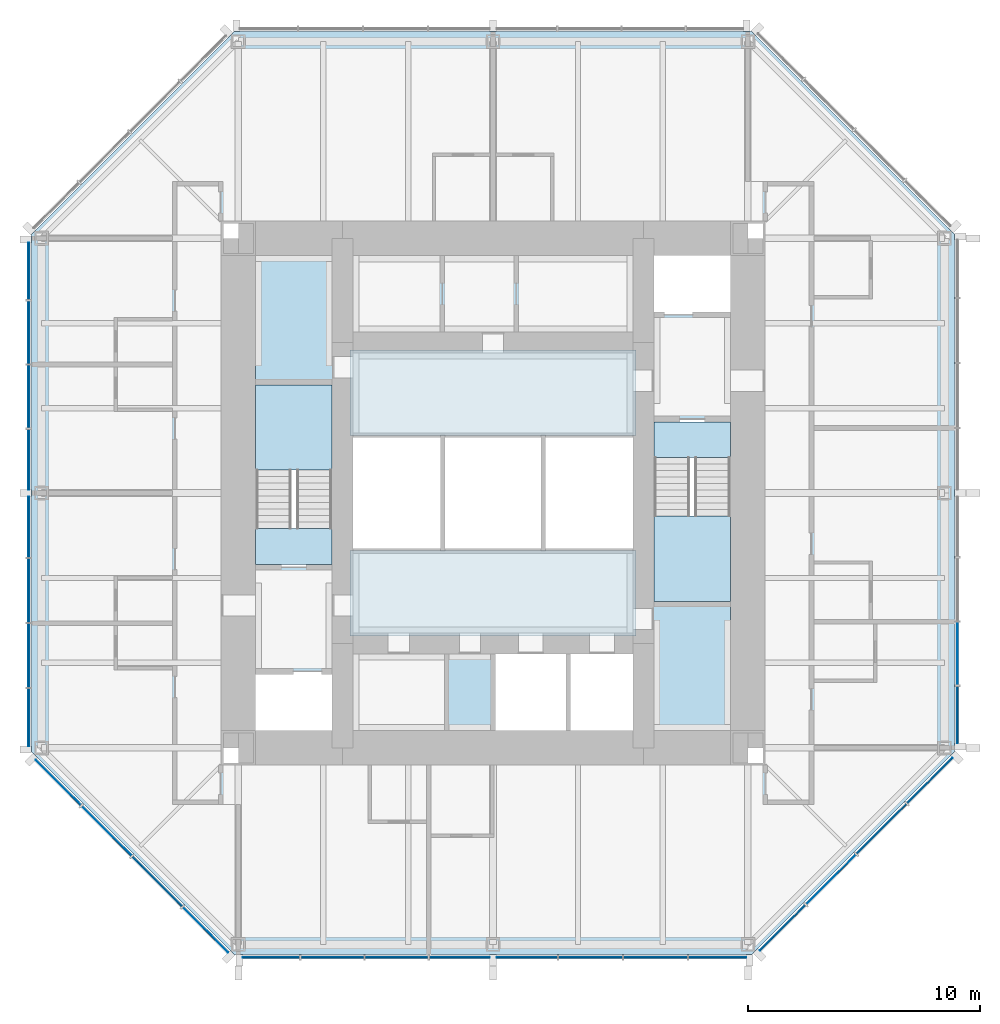
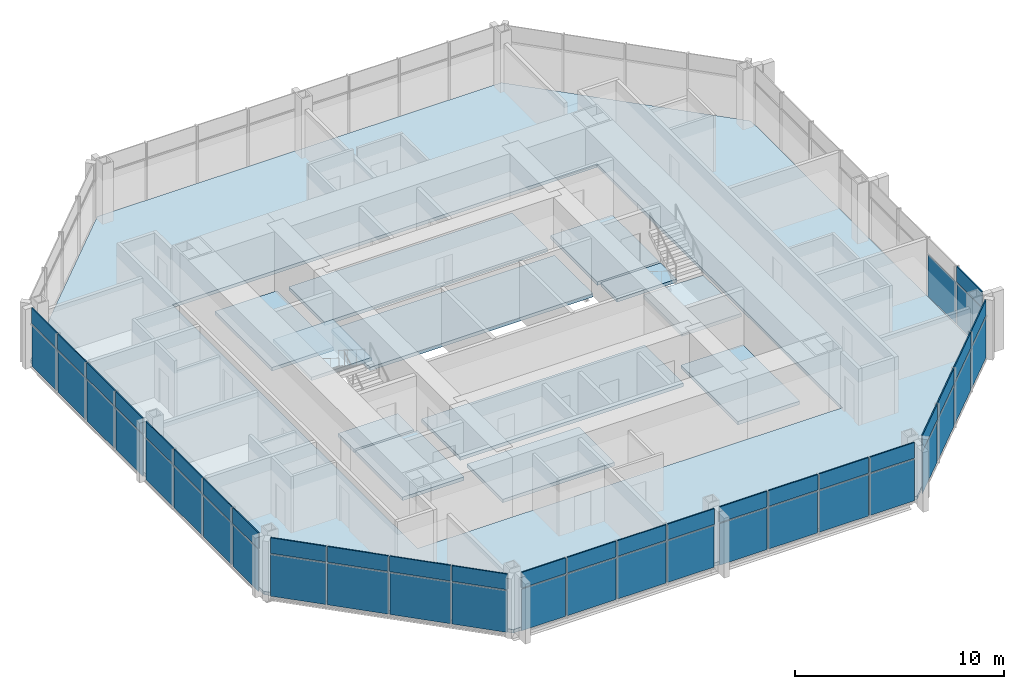
# One storey, part 6 of 11: 51 plates, 13 slabs, 7 elements without a shape of their own.
"""IFC4 building model written with IfcOpenShell, lengths in metres."""

from ifc_helpers import new_model, si_unit, direction, frame, origin, origin_2d, place, context, subcontext, project, spatial, polyline, rectangle, outline, extrude, material, layer, layer_set, type_object, element, aggregate, save


model = new_model("IFC4")

# Units and contexts
model_context = context("Model", 3, precision=1e-05, world=origin(), true_north=direction((0.0, 1.0)))
body_context = subcontext(model_context, "Body", "Model", "MODEL_VIEW")
ifc_project = project(units=[si_unit("LENGTHUNIT", "METRE"), si_unit("AREAUNIT", "SQUARE_METRE"), si_unit("VOLUMEUNIT", "CUBIC_METRE"), si_unit("PLANEANGLEUNIT", "RADIAN"), si_unit("MASSUNIT", "GRAM", prefix="KILO")], contexts=[model_context])

# Site, building, storey
site_placement = place(None, origin())
site = spatial("IfcSite", under=ifc_project, at=site_placement, CompositionType="ELEMENT")
building_placement = place(site_placement, origin())
building = spatial("IfcBuilding", under=site, at=building_placement, Name="Trevanion Tower", CompositionType="ELEMENT")
storey_placement = place(building_placement, frame((0.0, 0.0, 225.699951171875)))
storey = spatial("IfcBuildingStorey", under=building, at=storey_placement, Name="L54", CompositionType="ELEMENT", Elevation=225.699951171875)

# Curtain wall, plate
ifc_material_1 = material(Name="Aluminium and glass", Category="aluminium")
curtain_wall_type = type_object("IfcCurtainWallType", Name="CW3 curtain wall", PredefinedType="USERDEFINED", material=ifc_material_1)
curtain_wall_1_placement = place(storey_placement, origin())
curtain_wall_1 = element("IfcCurtainWall", 1, at=curtain_wall_1_placement, inside=storey, type_object=curtain_wall_type, Name="CW3 L54 0", ObjectType="UNITISED CURTAIN WALL", PredefinedType="USERDEFINED")
ifc_material_2 = material(Name="Aluminium spandrel panel", Category="aluminium")
ifc_layer_1 = layer(ifc_material_2, 0.06005859375)
ifc_layer_set_1 = layer_set([ifc_layer_1], Name="CW3 spandrel panel")
plate_type_1 = type_object("IfcPlateType", Name="CW3 spandrel panel", PredefinedType="CURTAIN_PANEL", material=ifc_layer_set_1)
plate_1_placement = place(storey_placement, frame((20.050048828125, -9.579345703125, 2.3974609375), z_axis=(0.0, 0.0, 1.0), x_axis=(0.0, 1.0, 0.0)))
plate_1 = element("IfcPlate", 2, at=plate_1_placement, type_object=plate_type_1, Name="CW3 panel 1.2", PredefinedType="CURTAIN_PANEL", context=body_context, shape_type="SweptSolid", body=[
    extrude(rectangle(XDim=2.43701171875, YDim=0.06005859375, at=origin_2d()), origin(), (0.0, 0.0, 1.0), 0.91259765625),
])

# Curtain wall, plates
curtain_wall_2_placement = place(storey_placement, origin())
curtain_wall_2 = element("IfcCurtainWall", 3, at=curtain_wall_2_placement, inside=storey, type_object=curtain_wall_type, Name="CW3 L54 4", ObjectType="UNITISED CURTAIN WALL", PredefinedType="USERDEFINED")
plate_2_placement = place(storey_placement, frame((-20.050048828125, 9.579345703125, 2.3974609375), z_axis=(0.0, 0.0, 1.0), x_axis=(0.0, -1.0, 0.0)))
plate_2 = element("IfcPlate", 4, at=plate_2_placement, type_object=plate_type_1, Name="CW3 panel 1.2", PredefinedType="CURTAIN_PANEL", context=body_context, shape_type="SweptSolid", body=[
    extrude(rectangle(XDim=2.43701171875, YDim=0.06005859375, at=origin_2d()), origin(), (0.0, 0.0, 1.0), 0.91259765625),
])
plate_3_placement = place(storey_placement, frame((-20.050048828125, 6.93603515625, 2.3974609375), z_axis=(0.0, 0.0, 1.0), x_axis=(0.0, -1.0, 0.0)))
plate_3 = element("IfcPlate", 5, at=plate_3_placement, type_object=plate_type_1, Name="CW3 panel 2.2", PredefinedType="CURTAIN_PANEL", context=body_context, shape_type="SweptSolid", body=[
    extrude(rectangle(XDim=2.699462890625, YDim=0.06005859375, at=origin_2d()), origin(), (0.0, 0.0, 1.0), 0.91259765625),
])
plate_4_placement = place(storey_placement, frame((-20.050048828125, 4.16162109375, 2.3974609375), z_axis=(0.0, 0.0, 1.0), x_axis=(0.0, -1.0, 0.0)))
plate_4 = element("IfcPlate", 6, at=plate_4_placement, type_object=plate_type_1, Name="CW3 panel 3.2", PredefinedType="CURTAIN_PANEL", context=body_context, shape_type="SweptSolid", body=[
    extrude(rectangle(XDim=2.699462890625, YDim=0.06005859375, at=origin_2d()), origin(), (0.0, 0.0, 1.0), 0.91259765625),
])
plate_5_placement = place(storey_placement, frame((-20.050048828125, 1.443603515625, 2.3974609375), z_axis=(0.0, 0.0, 1.0), x_axis=(0.0, -1.0, 0.0)))
plate_5 = element("IfcPlate", 7, at=plate_5_placement, type_object=plate_type_1, Name="CW3 panel 4.2", PredefinedType="CURTAIN_PANEL", context=body_context, shape_type="SweptSolid", body=[
    extrude(rectangle(XDim=2.5869140625, YDim=0.06005859375, at=origin_2d()), origin(), (0.0, 0.0, 1.0), 0.91259765625),
])
plate_6_placement = place(storey_placement, frame((-20.050048828125, -1.459716796875, 2.3974609375), z_axis=(0.0, 0.0, 1.0), x_axis=(0.0, -1.0, 0.0)))
plate_6 = element("IfcPlate", 8, at=plate_6_placement, type_object=plate_type_1, Name="CW3 panel 5.2", PredefinedType="CURTAIN_PANEL", context=body_context, shape_type="SweptSolid", body=[
    extrude(rectangle(XDim=2.619384765625, YDim=0.06005859375, at=origin_2d()), origin(), (0.0, 0.0, 1.0), 0.91259765625),
])
plate_7_placement = place(storey_placement, frame((-20.050048828125, -4.21044921875, 2.3974609375), z_axis=(0.0, 0.0, 1.0), x_axis=(0.0, -1.0, 0.0)))
plate_7 = element("IfcPlate", 9, at=plate_7_placement, type_object=plate_type_1, Name="CW3 panel 6.2", PredefinedType="CURTAIN_PANEL", context=body_context, shape_type="SweptSolid", body=[
    extrude(rectangle(XDim=2.73193359375, YDim=0.06005859375, at=origin_2d()), origin(), (0.0, 0.0, 1.0), 0.91259765625),
])
plate_8_placement = place(storey_placement, frame((-20.050048828125, -7.017333984375, 2.3974609375), z_axis=(0.0, 0.0, 1.0), x_axis=(0.0, -1.0, 0.0)))
plate_8 = element("IfcPlate", 10, at=plate_8_placement, type_object=plate_type_1, Name="CW3 panel 7.2", PredefinedType="CURTAIN_PANEL", context=body_context, shape_type="SweptSolid", body=[
    extrude(rectangle(XDim=2.73193359375, YDim=0.06005859375, at=origin_2d()), origin(), (0.0, 0.0, 1.0), 0.91259765625),
])
plate_9_placement = place(storey_placement, frame((-20.050048828125, -9.693115234375, 2.3974609375), z_axis=(0.0, 0.0, 1.0), x_axis=(0.0, -1.0, 0.0)))
plate_9 = element("IfcPlate", 11, at=plate_9_placement, type_object=plate_type_1, Name="CW3 panel 8.2", PredefinedType="CURTAIN_PANEL", context=body_context, shape_type="SweptSolid", body=[
    extrude(rectangle(XDim=2.469482421875, YDim=0.06005859375, at=origin_2d()), origin(), (0.0, 0.0, 1.0), 0.91259765625),
])

curtain_wall_3_placement = place(storey_placement, origin())
curtain_wall_3 = element("IfcCurtainWall", 12, at=curtain_wall_3_placement, inside=storey, type_object=curtain_wall_type, Name="CW3 L54 5", ObjectType="UNITISED CURTAIN WALL", PredefinedType="USERDEFINED")
plate_10_placement = place(storey_placement, frame((-18.77392578125, -12.50390625, 2.3974609375), z_axis=(0.0, 0.0, 1.0), x_axis=(0.707106781187, -0.707106781187, 0.0)))
plate_10 = element("IfcPlate", 13, at=plate_10_placement, type_object=plate_type_1, Name="CW3 panel 1.2", PredefinedType="CURTAIN_PANEL", context=body_context, shape_type="SweptSolid", body=[
    extrude(rectangle(XDim=2.7490234375, YDim=0.06005859375, at=origin_2d()), origin(), (0.0, 0.0, 1.0), 0.91259765625),
])
plate_11_placement = place(storey_placement, frame((-16.68408203125, -14.593505859375, 2.3974609375), z_axis=(0.0, 0.0, 1.0), x_axis=(0.707106781187, -0.707106781187, 0.0)))
plate_11 = element("IfcPlate", 14, at=plate_11_placement, type_object=plate_type_1, Name="CW3 panel 2.2", PredefinedType="CURTAIN_PANEL", context=body_context, shape_type="SweptSolid", body=[
    extrude(rectangle(XDim=3.01171875, YDim=0.06005859375, at=origin_2d()), origin(), (0.0, 0.0, 1.0), 0.91259765625),
])
plate_12_placement = place(storey_placement, frame((-14.501708984375, -16.776123046875, 2.3974609375), z_axis=(0.0, 0.0, 1.0), x_axis=(0.707106781187, -0.707106781187, 0.0)))
plate_12 = element("IfcPlate", 15, at=plate_12_placement, type_object=plate_type_1, Name="CW3 panel 3.2", PredefinedType="CURTAIN_PANEL", context=body_context, shape_type="SweptSolid", body=[
    extrude(rectangle(XDim=3.01171875, YDim=0.06005859375, at=origin_2d()), origin(), (0.0, 0.0, 1.0), 0.91259765625),
])
plate_13_placement = place(storey_placement, frame((-12.411865234375, -18.865966796875, 2.3974609375), z_axis=(0.0, 0.0, 1.0), x_axis=(0.707106781187, -0.707106781187, 0.0)))
plate_13 = element("IfcPlate", 16, at=plate_13_placement, type_object=plate_type_1, Name="CW3 panel 4.2", PredefinedType="CURTAIN_PANEL", context=body_context, shape_type="SweptSolid", body=[
    extrude(rectangle(XDim=2.7490234375, YDim=0.06005859375, at=origin_2d()), origin(), (0.0, 0.0, 1.0), 0.91259765625),
])

curtain_wall_4_placement = place(storey_placement, origin())
curtain_wall_4 = element("IfcCurtainWall", 17, at=curtain_wall_4_placement, inside=storey, type_object=curtain_wall_type, Name="CW3 L54 6", ObjectType="UNITISED CURTAIN WALL", PredefinedType="USERDEFINED")
plate_14_placement = place(storey_placement, frame((-9.579345703125, -20.050048828125, 2.3974609375), z_axis=(0.0, 0.0, 1.0), x_axis=(1.0, 0.0, 0.0)))
plate_14 = element("IfcPlate", 18, at=plate_14_placement, type_object=plate_type_1, Name="CW3 panel 1.2", PredefinedType="CURTAIN_PANEL", context=body_context, shape_type="SweptSolid", body=[
    extrude(rectangle(XDim=2.43701171875, YDim=0.06005859375, at=origin_2d()), origin(), (0.0, 0.0, 1.0), 0.91259765625),
])
plate_15_placement = place(storey_placement, frame((-6.93603515625, -20.050048828125, 2.3974609375), z_axis=(0.0, 0.0, 1.0), x_axis=(1.0, 0.0, 0.0)))
plate_15 = element("IfcPlate", 19, at=plate_15_placement, type_object=plate_type_1, Name="CW3 panel 2.2", PredefinedType="CURTAIN_PANEL", context=body_context, shape_type="SweptSolid", body=[
    extrude(rectangle(XDim=2.699462890625, YDim=0.06005859375, at=origin_2d()), origin(), (0.0, 0.0, 1.0), 0.91259765625),
])
plate_16_placement = place(storey_placement, frame((-4.16162109375, -20.050048828125, 2.3974609375), z_axis=(0.0, 0.0, 1.0), x_axis=(1.0, 0.0, 0.0)))
plate_16 = element("IfcPlate", 20, at=plate_16_placement, type_object=plate_type_1, Name="CW3 panel 3.2", PredefinedType="CURTAIN_PANEL", context=body_context, shape_type="SweptSolid", body=[
    extrude(rectangle(XDim=2.699462890625, YDim=0.06005859375, at=origin_2d()), origin(), (0.0, 0.0, 1.0), 0.91259765625),
])
plate_17_placement = place(storey_placement, frame((-1.443603515625, -20.050048828125, 2.3974609375), z_axis=(0.0, 0.0, 1.0), x_axis=(1.0, 0.0, 0.0)))
plate_17 = element("IfcPlate", 21, at=plate_17_placement, type_object=plate_type_1, Name="CW3 panel 4.2", PredefinedType="CURTAIN_PANEL", context=body_context, shape_type="SweptSolid", body=[
    extrude(rectangle(XDim=2.5869140625, YDim=0.06005859375, at=origin_2d()), origin(), (0.0, 0.0, 1.0), 0.91259765625),
])
plate_18_placement = place(storey_placement, frame((1.459716796875, -20.050048828125, 2.3974609375), z_axis=(0.0, 0.0, 1.0), x_axis=(1.0, 0.0, 0.0)))
plate_18 = element("IfcPlate", 22, at=plate_18_placement, type_object=plate_type_1, Name="CW3 panel 5.2", PredefinedType="CURTAIN_PANEL", context=body_context, shape_type="SweptSolid", body=[
    extrude(rectangle(XDim=2.619384765625, YDim=0.06005859375, at=origin_2d()), origin(), (0.0, 0.0, 1.0), 0.91259765625),
])
plate_19_placement = place(storey_placement, frame((4.21044921875, -20.050048828125, 2.3974609375), z_axis=(0.0, 0.0, 1.0), x_axis=(1.0, 0.0, 0.0)))
plate_19 = element("IfcPlate", 23, at=plate_19_placement, type_object=plate_type_1, Name="CW3 panel 6.2", PredefinedType="CURTAIN_PANEL", context=body_context, shape_type="SweptSolid", body=[
    extrude(rectangle(XDim=2.73193359375, YDim=0.06005859375, at=origin_2d()), origin(), (0.0, 0.0, 1.0), 0.91259765625),
])
plate_20_placement = place(storey_placement, frame((7.017333984375, -20.050048828125, 2.3974609375), z_axis=(0.0, 0.0, 1.0), x_axis=(1.0, 0.0, 0.0)))
plate_20 = element("IfcPlate", 24, at=plate_20_placement, type_object=plate_type_1, Name="CW3 panel 7.2", PredefinedType="CURTAIN_PANEL", context=body_context, shape_type="SweptSolid", body=[
    extrude(rectangle(XDim=2.73193359375, YDim=0.06005859375, at=origin_2d()), origin(), (0.0, 0.0, 1.0), 0.91259765625),
])
plate_21_placement = place(storey_placement, frame((9.693115234375, -20.050048828125, 2.3974609375), z_axis=(0.0, 0.0, 1.0), x_axis=(1.0, 0.0, 0.0)))
plate_21 = element("IfcPlate", 25, at=plate_21_placement, type_object=plate_type_1, Name="CW3 panel 8.2", PredefinedType="CURTAIN_PANEL", context=body_context, shape_type="SweptSolid", body=[
    extrude(rectangle(XDim=2.469482421875, YDim=0.06005859375, at=origin_2d()), origin(), (0.0, 0.0, 1.0), 0.91259765625),
])

curtain_wall_5_placement = place(storey_placement, origin())
curtain_wall_5 = element("IfcCurtainWall", 26, at=curtain_wall_5_placement, inside=storey, type_object=curtain_wall_type, Name="CW3 L54 7", ObjectType="UNITISED CURTAIN WALL", PredefinedType="USERDEFINED")
plate_22_placement = place(storey_placement, frame((12.50390625, -18.77392578125, 2.3974609375), z_axis=(0.0, 0.0, 1.0), x_axis=(0.707106781187, 0.707106781187, 0.0)))
plate_22 = element("IfcPlate", 27, at=plate_22_placement, type_object=plate_type_1, Name="CW3 panel 1.2", PredefinedType="CURTAIN_PANEL", context=body_context, shape_type="SweptSolid", body=[
    extrude(rectangle(XDim=2.7490234375, YDim=0.06005859375, at=origin_2d()), origin(), (0.0, 0.0, 1.0), 0.91259765625),
])
plate_23_placement = place(storey_placement, frame((14.593505859375, -16.68408203125, 2.3974609375), z_axis=(0.0, 0.0, 1.0), x_axis=(0.707106781187, 0.707106781187, 0.0)))
plate_23 = element("IfcPlate", 28, at=plate_23_placement, type_object=plate_type_1, Name="CW3 panel 2.2", PredefinedType="CURTAIN_PANEL", context=body_context, shape_type="SweptSolid", body=[
    extrude(rectangle(XDim=3.01171875, YDim=0.06005859375, at=origin_2d()), origin(), (0.0, 0.0, 1.0), 0.91259765625),
])
plate_24_placement = place(storey_placement, frame((16.776123046875, -14.501708984375, 2.3974609375), z_axis=(0.0, 0.0, 1.0), x_axis=(0.707106781187, 0.707106781187, 0.0)))
plate_24 = element("IfcPlate", 29, at=plate_24_placement, type_object=plate_type_1, Name="CW3 panel 3.2", PredefinedType="CURTAIN_PANEL", context=body_context, shape_type="SweptSolid", body=[
    extrude(rectangle(XDim=3.01171875, YDim=0.06005859375, at=origin_2d()), origin(), (0.0, 0.0, 1.0), 0.91259765625),
])
plate_25_placement = place(storey_placement, frame((18.865966796875, -12.411865234375, 2.3974609375), z_axis=(0.0, 0.0, 1.0), x_axis=(0.707106781187, 0.707106781187, 0.0)))
plate_25 = element("IfcPlate", 30, at=plate_25_placement, type_object=plate_type_1, Name="CW3 panel 4.2", PredefinedType="CURTAIN_PANEL", context=body_context, shape_type="SweptSolid", body=[
    extrude(rectangle(XDim=2.7490234375, YDim=0.06005859375, at=origin_2d()), origin(), (0.0, 0.0, 1.0), 0.91259765625),
])

# Plate
ifc_material_3 = material(Name="Insulating glass unit", Category="glass")
ifc_layer_2 = layer(ifc_material_3, 0.028076171875)
ifc_layer_set_2 = layer_set([ifc_layer_2], Name="CW3 vision panel")
plate_type_2 = type_object("IfcPlateType", Name="CW3 vision panel", PredefinedType="CURTAIN_PANEL", material=ifc_layer_set_2)
plate_26_placement = place(storey_placement, frame((20.050048828125, -9.579345703125, -0.114990234375), z_axis=(0.0, 0.0, 1.0), x_axis=(0.0, 1.0, 0.0)))
plate_26 = element("IfcPlate", 31, at=plate_26_placement, type_object=plate_type_2, Name="CW3 panel 1.1", PredefinedType="CURTAIN_PANEL", context=body_context, shape_type="SweptSolid", body=[
    extrude(rectangle(XDim=2.43701171875, YDim=0.028076171875, at=origin_2d()), origin(), (0.0, 0.0, 1.0), 2.4375),
])

plate_27_placement = place(storey_placement, frame((20.050048828125, -6.93603515625, -0.114990234375), z_axis=(0.0, 0.0, 1.0), x_axis=(0.0, 1.0, 0.0)))
plate_27 = element("IfcPlate", 32, at=plate_27_placement, type_object=plate_type_2, Name="CW3 panel 2.1", PredefinedType="CURTAIN_PANEL", context=body_context, shape_type="SweptSolid", body=[
    extrude(rectangle(XDim=2.699462890625, YDim=0.028076171875, at=origin_2d()), origin(), (0.0, 0.0, 1.0), 2.4375),
])

aggregate(curtain_wall_1, [plate_26, plate_1, plate_27])

plate_28_placement = place(storey_placement, frame((-20.050048828125, 9.579345703125, -0.114990234375), z_axis=(0.0, 0.0, 1.0), x_axis=(0.0, -1.0, 0.0)))
plate_28 = element("IfcPlate", 33, at=plate_28_placement, type_object=plate_type_2, Name="CW3 panel 1.1", PredefinedType="CURTAIN_PANEL", context=body_context, shape_type="SweptSolid", body=[
    extrude(rectangle(XDim=2.43701171875, YDim=0.028076171875, at=origin_2d()), origin(), (0.0, 0.0, 1.0), 2.4375),
])

plate_29_placement = place(storey_placement, frame((-20.050048828125, 6.93603515625, -0.114990234375), z_axis=(0.0, 0.0, 1.0), x_axis=(0.0, -1.0, 0.0)))
plate_29 = element("IfcPlate", 34, at=plate_29_placement, type_object=plate_type_2, Name="CW3 panel 2.1", PredefinedType="CURTAIN_PANEL", context=body_context, shape_type="SweptSolid", body=[
    extrude(rectangle(XDim=2.699462890625, YDim=0.028076171875, at=origin_2d()), origin(), (0.0, 0.0, 1.0), 2.4375),
])

plate_30_placement = place(storey_placement, frame((-20.050048828125, 4.16162109375, -0.114990234375), z_axis=(0.0, 0.0, 1.0), x_axis=(0.0, -1.0, 0.0)))
plate_30 = element("IfcPlate", 35, at=plate_30_placement, type_object=plate_type_2, Name="CW3 panel 3.1", PredefinedType="CURTAIN_PANEL", context=body_context, shape_type="SweptSolid", body=[
    extrude(rectangle(XDim=2.699462890625, YDim=0.028076171875, at=origin_2d()), origin(), (0.0, 0.0, 1.0), 2.4375),
])

plate_31_placement = place(storey_placement, frame((-20.050048828125, 1.443603515625, -0.114990234375), z_axis=(0.0, 0.0, 1.0), x_axis=(0.0, -1.0, 0.0)))
plate_31 = element("IfcPlate", 36, at=plate_31_placement, type_object=plate_type_2, Name="CW3 panel 4.1", PredefinedType="CURTAIN_PANEL", context=body_context, shape_type="SweptSolid", body=[
    extrude(rectangle(XDim=2.5869140625, YDim=0.028076171875, at=origin_2d()), origin(), (0.0, 0.0, 1.0), 2.4375),
])

plate_32_placement = place(storey_placement, frame((-20.050048828125, -1.459716796875, -0.114990234375), z_axis=(0.0, 0.0, 1.0), x_axis=(0.0, -1.0, 0.0)))
plate_32 = element("IfcPlate", 37, at=plate_32_placement, type_object=plate_type_2, Name="CW3 panel 5.1", PredefinedType="CURTAIN_PANEL", context=body_context, shape_type="SweptSolid", body=[
    extrude(rectangle(XDim=2.619384765625, YDim=0.028076171875, at=origin_2d()), origin(), (0.0, 0.0, 1.0), 2.4375),
])

plate_33_placement = place(storey_placement, frame((-20.050048828125, -4.21044921875, -0.114990234375), z_axis=(0.0, 0.0, 1.0), x_axis=(0.0, -1.0, 0.0)))
plate_33 = element("IfcPlate", 38, at=plate_33_placement, type_object=plate_type_2, Name="CW3 panel 6.1", PredefinedType="CURTAIN_PANEL", context=body_context, shape_type="SweptSolid", body=[
    extrude(rectangle(XDim=2.73193359375, YDim=0.028076171875, at=origin_2d()), origin(), (0.0, 0.0, 1.0), 2.4375),
])

plate_34_placement = place(storey_placement, frame((-20.050048828125, -7.017333984375, -0.114990234375), z_axis=(0.0, 0.0, 1.0), x_axis=(0.0, -1.0, 0.0)))
plate_34 = element("IfcPlate", 39, at=plate_34_placement, type_object=plate_type_2, Name="CW3 panel 7.1", PredefinedType="CURTAIN_PANEL", context=body_context, shape_type="SweptSolid", body=[
    extrude(rectangle(XDim=2.73193359375, YDim=0.028076171875, at=origin_2d()), origin(), (0.0, 0.0, 1.0), 2.4375),
])

plate_35_placement = place(storey_placement, frame((-20.050048828125, -9.693115234375, -0.114990234375), z_axis=(0.0, 0.0, 1.0), x_axis=(0.0, -1.0, 0.0)))
plate_35 = element("IfcPlate", 40, at=plate_35_placement, type_object=plate_type_2, Name="CW3 panel 8.1", PredefinedType="CURTAIN_PANEL", context=body_context, shape_type="SweptSolid", body=[
    extrude(rectangle(XDim=2.469482421875, YDim=0.028076171875, at=origin_2d()), origin(), (0.0, 0.0, 1.0), 2.4375),
])

aggregate(curtain_wall_2, [plate_28, plate_2, plate_29, plate_3, plate_30, plate_4, plate_31, plate_5, plate_32, plate_6, plate_33, plate_7, plate_34, plate_8, plate_35, plate_9])

plate_36_placement = place(storey_placement, frame((-18.77392578125, -12.50390625, -0.114990234375), z_axis=(0.0, 0.0, 1.0), x_axis=(0.707106781187, -0.707106781187, 0.0)))
plate_36 = element("IfcPlate", 41, at=plate_36_placement, type_object=plate_type_2, Name="CW3 panel 1.1", PredefinedType="CURTAIN_PANEL", context=body_context, shape_type="SweptSolid", body=[
    extrude(rectangle(XDim=2.7490234375, YDim=0.028076171875, at=origin_2d()), origin(), (0.0, 0.0, 1.0), 2.4375),
])

plate_37_placement = place(storey_placement, frame((-16.68408203125, -14.593505859375, -0.114990234375), z_axis=(0.0, 0.0, 1.0), x_axis=(0.707106781187, -0.707106781187, 0.0)))
plate_37 = element("IfcPlate", 42, at=plate_37_placement, type_object=plate_type_2, Name="CW3 panel 2.1", PredefinedType="CURTAIN_PANEL", context=body_context, shape_type="SweptSolid", body=[
    extrude(rectangle(XDim=3.01171875, YDim=0.028076171875, at=origin_2d()), origin(), (0.0, 0.0, 1.0), 2.4375),
])

plate_38_placement = place(storey_placement, frame((-14.501708984375, -16.776123046875, -0.114990234375), z_axis=(0.0, 0.0, 1.0), x_axis=(0.707106781187, -0.707106781187, 0.0)))
plate_38 = element("IfcPlate", 43, at=plate_38_placement, type_object=plate_type_2, Name="CW3 panel 3.1", PredefinedType="CURTAIN_PANEL", context=body_context, shape_type="SweptSolid", body=[
    extrude(rectangle(XDim=3.01171875, YDim=0.028076171875, at=origin_2d()), origin(), (0.0, 0.0, 1.0), 2.4375),
])

plate_39_placement = place(storey_placement, frame((-12.411865234375, -18.865966796875, -0.114990234375), z_axis=(0.0, 0.0, 1.0), x_axis=(0.707106781187, -0.707106781187, 0.0)))
plate_39 = element("IfcPlate", 44, at=plate_39_placement, type_object=plate_type_2, Name="CW3 panel 4.1", PredefinedType="CURTAIN_PANEL", context=body_context, shape_type="SweptSolid", body=[
    extrude(rectangle(XDim=2.7490234375, YDim=0.028076171875, at=origin_2d()), origin(), (0.0, 0.0, 1.0), 2.4375),
])

aggregate(curtain_wall_3, [plate_36, plate_10, plate_37, plate_11, plate_38, plate_12, plate_39, plate_13])

plate_40_placement = place(storey_placement, frame((-9.579345703125, -20.050048828125, -0.114990234375), z_axis=(0.0, 0.0, 1.0), x_axis=(1.0, 0.0, 0.0)))
plate_40 = element("IfcPlate", 45, at=plate_40_placement, type_object=plate_type_2, Name="CW3 panel 1.1", PredefinedType="CURTAIN_PANEL", context=body_context, shape_type="SweptSolid", body=[
    extrude(rectangle(XDim=2.43701171875, YDim=0.028076171875, at=origin_2d()), origin(), (0.0, 0.0, 1.0), 2.4375),
])

plate_41_placement = place(storey_placement, frame((-6.93603515625, -20.050048828125, -0.114990234375), z_axis=(0.0, 0.0, 1.0), x_axis=(1.0, 0.0, 0.0)))
plate_41 = element("IfcPlate", 46, at=plate_41_placement, type_object=plate_type_2, Name="CW3 panel 2.1", PredefinedType="CURTAIN_PANEL", context=body_context, shape_type="SweptSolid", body=[
    extrude(rectangle(XDim=2.699462890625, YDim=0.028076171875, at=origin_2d()), origin(), (0.0, 0.0, 1.0), 2.4375),
])

plate_42_placement = place(storey_placement, frame((-4.16162109375, -20.050048828125, -0.114990234375), z_axis=(0.0, 0.0, 1.0), x_axis=(1.0, 0.0, 0.0)))
plate_42 = element("IfcPlate", 47, at=plate_42_placement, type_object=plate_type_2, Name="CW3 panel 3.1", PredefinedType="CURTAIN_PANEL", context=body_context, shape_type="SweptSolid", body=[
    extrude(rectangle(XDim=2.699462890625, YDim=0.028076171875, at=origin_2d()), origin(), (0.0, 0.0, 1.0), 2.4375),
])

plate_43_placement = place(storey_placement, frame((-1.443603515625, -20.050048828125, -0.114990234375), z_axis=(0.0, 0.0, 1.0), x_axis=(1.0, 0.0, 0.0)))
plate_43 = element("IfcPlate", 48, at=plate_43_placement, type_object=plate_type_2, Name="CW3 panel 4.1", PredefinedType="CURTAIN_PANEL", context=body_context, shape_type="SweptSolid", body=[
    extrude(rectangle(XDim=2.5869140625, YDim=0.028076171875, at=origin_2d()), origin(), (0.0, 0.0, 1.0), 2.4375),
])

plate_44_placement = place(storey_placement, frame((1.459716796875, -20.050048828125, -0.114990234375), z_axis=(0.0, 0.0, 1.0), x_axis=(1.0, 0.0, 0.0)))
plate_44 = element("IfcPlate", 49, at=plate_44_placement, type_object=plate_type_2, Name="CW3 panel 5.1", PredefinedType="CURTAIN_PANEL", context=body_context, shape_type="SweptSolid", body=[
    extrude(rectangle(XDim=2.619384765625, YDim=0.028076171875, at=origin_2d()), origin(), (0.0, 0.0, 1.0), 2.4375),
])

plate_45_placement = place(storey_placement, frame((4.21044921875, -20.050048828125, -0.114990234375), z_axis=(0.0, 0.0, 1.0), x_axis=(1.0, 0.0, 0.0)))
plate_45 = element("IfcPlate", 50, at=plate_45_placement, type_object=plate_type_2, Name="CW3 panel 6.1", PredefinedType="CURTAIN_PANEL", context=body_context, shape_type="SweptSolid", body=[
    extrude(rectangle(XDim=2.73193359375, YDim=0.028076171875, at=origin_2d()), origin(), (0.0, 0.0, 1.0), 2.4375),
])

plate_46_placement = place(storey_placement, frame((7.017333984375, -20.050048828125, -0.114990234375), z_axis=(0.0, 0.0, 1.0), x_axis=(1.0, 0.0, 0.0)))
plate_46 = element("IfcPlate", 51, at=plate_46_placement, type_object=plate_type_2, Name="CW3 panel 7.1", PredefinedType="CURTAIN_PANEL", context=body_context, shape_type="SweptSolid", body=[
    extrude(rectangle(XDim=2.73193359375, YDim=0.028076171875, at=origin_2d()), origin(), (0.0, 0.0, 1.0), 2.4375),
])

plate_47_placement = place(storey_placement, frame((9.693115234375, -20.050048828125, -0.114990234375), z_axis=(0.0, 0.0, 1.0), x_axis=(1.0, 0.0, 0.0)))
plate_47 = element("IfcPlate", 52, at=plate_47_placement, type_object=plate_type_2, Name="CW3 panel 8.1", PredefinedType="CURTAIN_PANEL", context=body_context, shape_type="SweptSolid", body=[
    extrude(rectangle(XDim=2.469482421875, YDim=0.028076171875, at=origin_2d()), origin(), (0.0, 0.0, 1.0), 2.4375),
])

aggregate(curtain_wall_4, [plate_40, plate_14, plate_41, plate_15, plate_42, plate_16, plate_43, plate_17, plate_44, plate_18, plate_45, plate_19, plate_46, plate_20, plate_47, plate_21])

plate_48_placement = place(storey_placement, frame((12.50390625, -18.77392578125, -0.114990234375), z_axis=(0.0, 0.0, 1.0), x_axis=(0.707106781187, 0.707106781187, 0.0)))
plate_48 = element("IfcPlate", 53, at=plate_48_placement, type_object=plate_type_2, Name="CW3 panel 1.1", PredefinedType="CURTAIN_PANEL", context=body_context, shape_type="SweptSolid", body=[
    extrude(rectangle(XDim=2.7490234375, YDim=0.028076171875, at=origin_2d()), origin(), (0.0, 0.0, 1.0), 2.4375),
])

plate_49_placement = place(storey_placement, frame((14.593505859375, -16.68408203125, -0.114990234375), z_axis=(0.0, 0.0, 1.0), x_axis=(0.707106781187, 0.707106781187, 0.0)))
plate_49 = element("IfcPlate", 54, at=plate_49_placement, type_object=plate_type_2, Name="CW3 panel 2.1", PredefinedType="CURTAIN_PANEL", context=body_context, shape_type="SweptSolid", body=[
    extrude(rectangle(XDim=3.01171875, YDim=0.028076171875, at=origin_2d()), origin(), (0.0, 0.0, 1.0), 2.4375),
])

plate_50_placement = place(storey_placement, frame((16.776123046875, -14.501708984375, -0.114990234375), z_axis=(0.0, 0.0, 1.0), x_axis=(0.707106781187, 0.707106781187, 0.0)))
plate_50 = element("IfcPlate", 55, at=plate_50_placement, type_object=plate_type_2, Name="CW3 panel 3.1", PredefinedType="CURTAIN_PANEL", context=body_context, shape_type="SweptSolid", body=[
    extrude(rectangle(XDim=3.01171875, YDim=0.028076171875, at=origin_2d()), origin(), (0.0, 0.0, 1.0), 2.4375),
])

plate_51_placement = place(storey_placement, frame((18.865966796875, -12.411865234375, -0.114990234375), z_axis=(0.0, 0.0, 1.0), x_axis=(0.707106781187, 0.707106781187, 0.0)))
plate_51 = element("IfcPlate", 56, at=plate_51_placement, type_object=plate_type_2, Name="CW3 panel 4.1", PredefinedType="CURTAIN_PANEL", context=body_context, shape_type="SweptSolid", body=[
    extrude(rectangle(XDim=2.7490234375, YDim=0.028076171875, at=origin_2d()), origin(), (0.0, 0.0, 1.0), 2.4375),
])

aggregate(curtain_wall_5, [plate_48, plate_22, plate_49, plate_23, plate_50, plate_24, plate_51, plate_25])

# Slabs
ifc_material_4 = material(Name="Concrete 5,000 psi on composite metal deck", Category="concrete")
ifc_layer_3 = layer(ifc_material_4, 0.18994140625)
ifc_layer_set_3 = layer_set([ifc_layer_3], Name="SL1 composite floor 190")
slab_type_1 = type_object("IfcSlabType", Name="SL1 composite floor 190", PredefinedType="FLOOR", material=ifc_layer_set_3)
slab_1_placement = place(storey_placement, frame((0.0, 0.0, -0.18994140625)))
element("IfcSlab", 57, at=slab_1_placement, inside=storey, type_object=slab_type_1, Name="SL1 L54 floor", PredefinedType="FLOOR", context=body_context, shape_type="SweptSolid", body=[
    extrude(outline(polyline([(19.919921875, -11.174072265625), (19.919921875, 11.174072265625), (11.174072265625, 19.919921875), (-11.174072265625, 19.919921875), (-19.919921875, 11.174072265625), (-19.919921875, -11.174072265625), (-11.174072265625, -19.919921875), (11.174072265625, -19.919921875), (19.919921875, -11.174072265625)]), holes=[polyline([(11.75, -11.75), (11.75, 11.75), (-11.75, 11.75), (-11.75, -11.75), (11.75, -11.75)])]), origin(), (0.0, 0.0, 1.0), 0.18994140625),
])
ifc_material_5 = material(Name="Concrete 5,000 psi", Category="concrete")
ifc_layer_4 = layer(ifc_material_5, 0.199951171875)
ifc_layer_set_4 = layer_set([ifc_layer_4], Name="SL2 core floor 200")
slab_type_2 = type_object("IfcSlabType", Name="SL2 core floor 200", PredefinedType="FLOOR", material=ifc_layer_set_4)
slab_2_placement = place(storey_placement, frame((0.0, 0.0, -0.199951171875)))
element("IfcSlab", 58, at=slab_2_placement, inside=storey, type_object=slab_type_2, Name="SL2 L54 core floor 1", PredefinedType="FLOOR", context=body_context, shape_type="SweptSolid", body=[
    extrude(outline(polyline([(0.02001953125, -10.25), (-6.169921875, -10.25), (-6.169921875, -6.830078125), (0.02001953125, -6.830078125), (0.02001953125, -10.25)])), origin(), (0.0, 0.0, 1.0), 0.199951171875),
])
slab_3_placement = place(storey_placement, frame((0.0, 0.0, -0.199951171875)))
element("IfcSlab", 59, at=slab_3_placement, inside=storey, type_object=slab_type_2, Name="SL2 L54 core floor 2", PredefinedType="FLOOR", context=body_context, shape_type="SweptSolid", body=[
    extrude(outline(polyline([(6.830078125, -4.804931640625), (10.25, -4.804931640625), (10.25, -10.25), (6.830078125, -10.25), (6.830078125, -4.804931640625)])), origin(), (0.0, 0.0, 1.0), 0.199951171875),
])
slab_4_placement = place(storey_placement, frame((0.0, 0.0, -0.199951171875)))
element("IfcSlab", 60, at=slab_4_placement, inside=storey, type_object=slab_type_2, Name="SL2 L54 core floor 3", PredefinedType="FLOOR", context=body_context, shape_type="SweptSolid", body=[
    extrude(outline(polyline([(-6.830078125, -3.205078125), (-6.830078125, -7.695068359375), (-10.25, -7.695068359375), (-10.25, -3.205078125), (-6.830078125, -3.205078125)])), origin(), (0.0, 0.0, 1.0), 0.199951171875),
])
slab_5_placement = place(storey_placement, frame((0.0, 0.0, -0.199951171875)))
element("IfcSlab", 61, at=slab_5_placement, inside=storey, type_object=slab_type_2, Name="SL2 L54 core floor 4", PredefinedType="FLOOR", context=body_context, shape_type="SweptSolid", body=[
    extrude(outline(polyline([(6.169921875, -6.169921875), (-6.169921875, -6.169921875), (-6.169921875, -2.47998046875), (6.169921875, -2.47998046875), (6.169921875, -6.169921875)])), origin(), (0.0, 0.0, 1.0), 0.199951171875),
])
slab_6_placement = place(storey_placement, frame((0.0, 0.0, -0.199951171875)))
element("IfcSlab", 62, at=slab_6_placement, inside=storey, type_object=slab_type_2, Name="SL2 L54 core floor 5", PredefinedType="FLOOR", context=body_context, shape_type="SweptSolid", body=[
    extrude(outline(polyline([(6.169921875, 2.47998046875), (-6.169921875, 2.47998046875), (-6.169921875, 6.169921875), (6.169921875, 6.169921875), (6.169921875, 2.47998046875)])), origin(), (0.0, 0.0, 1.0), 0.199951171875),
])
slab_7_placement = place(storey_placement, frame((0.0, 0.0, -0.199951171875)))
element("IfcSlab", 63, at=slab_7_placement, inside=storey, type_object=slab_type_2, Name="SL2 L54 core floor 6", PredefinedType="FLOOR", context=body_context, shape_type="SweptSolid", body=[
    extrude(outline(polyline([(6.830078125, 3.205078125), (6.830078125, 7.695068359375), (10.25, 7.695068359375), (10.25, 3.205078125), (6.830078125, 3.205078125)])), origin(), (0.0, 0.0, 1.0), 0.199951171875),
])
slab_8_placement = place(storey_placement, frame((0.0, 0.0, -0.199951171875)))
element("IfcSlab", 64, at=slab_8_placement, inside=storey, type_object=slab_type_2, Name="SL2 L54 core floor 7", PredefinedType="FLOOR", context=body_context, shape_type="SweptSolid", body=[
    extrude(outline(polyline([(-6.830078125, 4.804931640625), (-10.25, 4.804931640625), (-10.25, 10.25), (-6.830078125, 10.25), (-6.830078125, 4.804931640625)])), origin(), (0.0, 0.0, 1.0), 0.199951171875),
])
slab_9_placement = place(storey_placement, frame((0.0, 0.0, -0.199951171875)))
element("IfcSlab", 65, at=slab_9_placement, inside=storey, type_object=slab_type_2, Name="SL2 L54 core floor 8", PredefinedType="FLOOR", context=body_context, shape_type="SweptSolid", body=[
    extrude(outline(polyline([(6.169921875, 6.830078125), (-6.169921875, 6.830078125), (-6.169921875, 10.25), (6.169921875, 10.25), (6.169921875, 6.830078125)])), origin(), (0.0, 0.0, 1.0), 0.199951171875),
])

# Stair, slabs
ifc_material_6 = material(Name="Concrete 5,000 psi on steel stringers", Category="concrete")
stair_type = type_object("IfcStairType", Name="ST stair", PredefinedType="HALF_TURN_STAIR", material=ifc_material_6)
stair_1_placement = place(storey_placement, origin())
stair_1 = element("IfcStair", 66, at=stair_1_placement, inside=storey, type_object=stair_type, Name="ST1 L54", PredefinedType="HALF_TURN_STAIR")
ifc_material_7 = material(Name="Concrete 5,000 psi in steel pan", Category="concrete")
ifc_layer_5 = layer(ifc_material_7, 0.199951171875)
ifc_layer_set_5 = layer_set([ifc_layer_5], Name="STL stair landing 200")
slab_type_3 = type_object("IfcSlabType", Name="STL stair landing 200", PredefinedType="LANDING", material=ifc_layer_set_5)
slab_10_placement = place(storey_placement, frame((0.0, 0.0, -0.199951171875)))
slab_10 = element("IfcSlab", 67, at=slab_10_placement, type_object=slab_type_3, Name="ST1 landing 1", PredefinedType="LANDING", context=body_context, shape_type="SweptSolid", body=[
    extrude(outline(polyline([(6.949951171875, 1.52490234375), (10.25, 1.52490234375), (10.25, 3.074951171875), (6.949951171875, 3.074951171875), (6.949951171875, 1.52490234375)])), origin(), (0.0, 0.0, 1.0), 0.199951171875),
])
slab_11_placement = place(storey_placement, frame((0.0, 0.0, 1.550048828125)))
slab_11 = element("IfcSlab", 68, at=slab_11_placement, type_object=slab_type_3, Name="ST1 landing 2", PredefinedType="LANDING", context=body_context, shape_type="SweptSolid", body=[
    extrude(outline(polyline([(6.949951171875, -4.675048828125), (10.25, -4.675048828125), (10.25, -0.9951171875), (6.949951171875, -0.9951171875), (6.949951171875, -4.675048828125)])), origin(), (0.0, 0.0, 1.0), 0.199951171875),
])
aggregate(stair_1, [slab_10, slab_11])

stair_2_placement = place(storey_placement, origin())
stair_2 = element("IfcStair", 69, at=stair_2_placement, inside=storey, type_object=stair_type, Name="ST2 L54", PredefinedType="HALF_TURN_STAIR")
slab_12_placement = place(storey_placement, frame((0.0, 0.0, -0.199951171875)))
slab_12 = element("IfcSlab", 70, at=slab_12_placement, type_object=slab_type_3, Name="ST2 landing 1", PredefinedType="LANDING", context=body_context, shape_type="SweptSolid", body=[
    extrude(outline(polyline([(-6.949951171875, -1.52490234375), (-10.25, -1.52490234375), (-10.25, -3.074951171875), (-6.949951171875, -3.074951171875), (-6.949951171875, -1.52490234375)])), origin(), (0.0, 0.0, 1.0), 0.199951171875),
])
slab_13_placement = place(storey_placement, frame((0.0, 0.0, 1.550048828125)))
slab_13 = element("IfcSlab", 71, at=slab_13_placement, type_object=slab_type_3, Name="ST2 landing 2", PredefinedType="LANDING", context=body_context, shape_type="SweptSolid", body=[
    extrude(outline(polyline([(-6.949951171875, 4.675048828125), (-10.25, 4.675048828125), (-10.25, 0.9951171875), (-6.949951171875, 0.9951171875), (-6.949951171875, 4.675048828125)])), origin(), (0.0, 0.0, 1.0), 0.199951171875),
])
aggregate(stair_2, [slab_12, slab_13])

save(model, "model.ifc")
